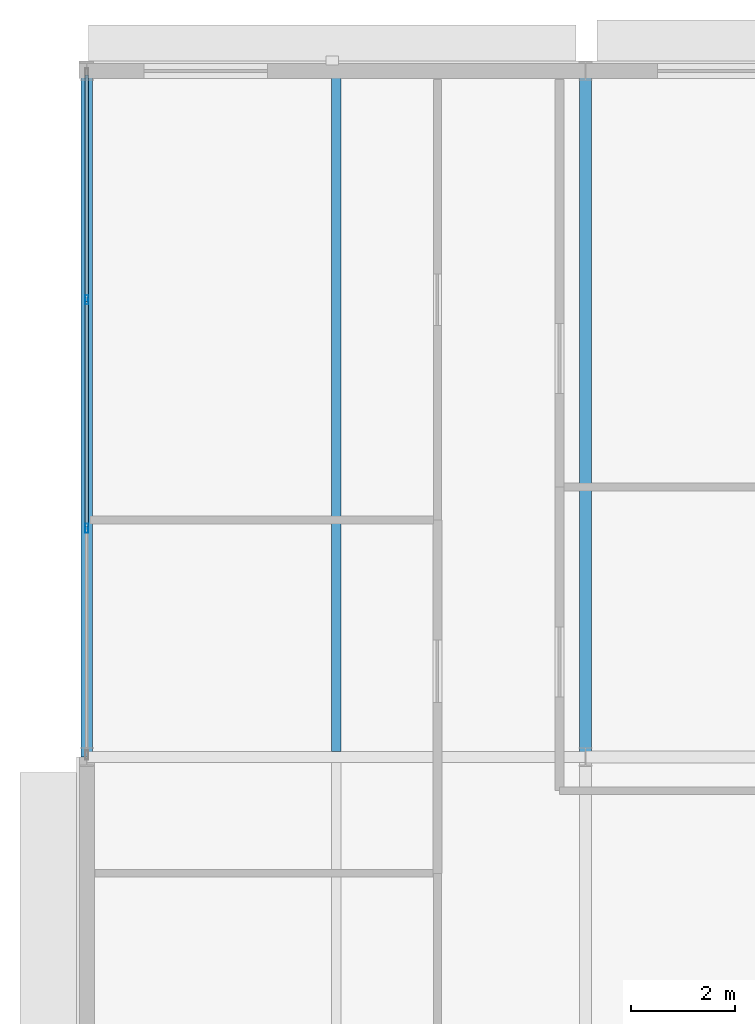
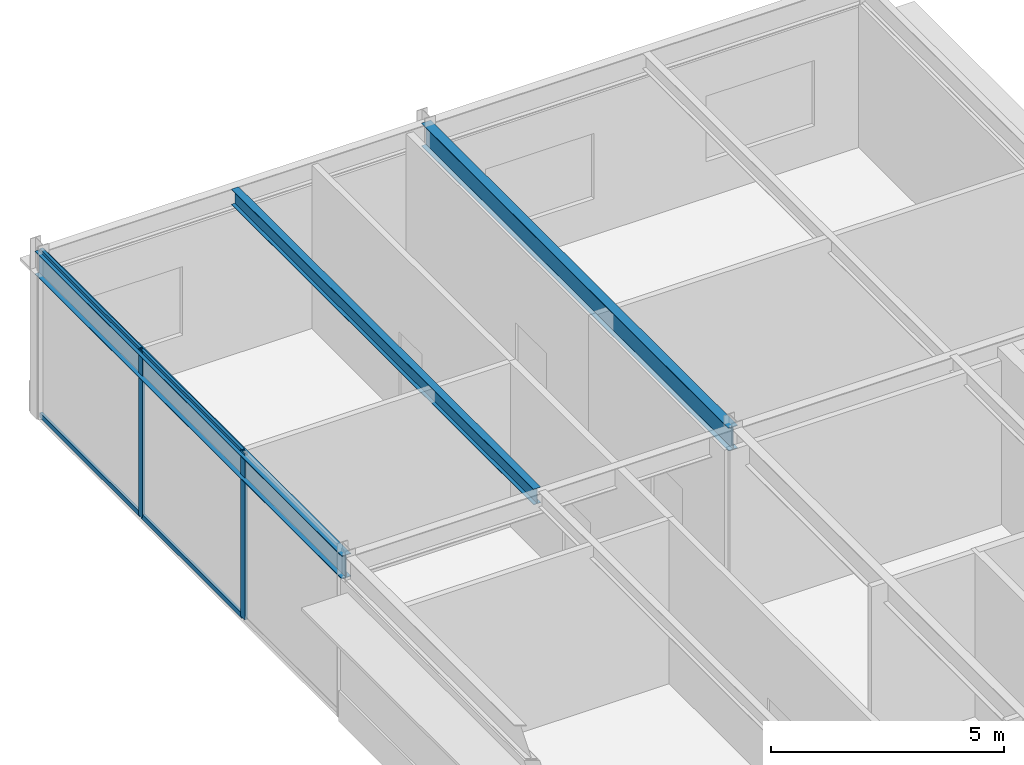
# One storey, part 8 of 17: 6 members, 3 beams, 1 element without a shape of its own.
"""IFC4 building model written with IfcOpenShell, lengths in metres."""

import ifcopenshell
import ifcopenshell.guid

model = None  # the IFC model being written
_history = None  # IfcOwnerHistory: only IFC2X3 demands one
_inside = {}  # id of a spatial element -> (the spatial element, [elements in it])
_under = {}  # id of a project, library or spatial element -> (it, [spatial elements below it])
_declared = {}  # id of a project -> (the project, [libraries it declares])
_typed = {}  # id of a type object -> (the type object, [elements of that type])
_made_of = {}  # id of a material, layer set ... -> (it, [elements and type objects made of it])


def new_model(schema):
    """Start an empty IFC model of exactly this schema.

    Asked for "IFC4X3", IfcOpenShell would pick the latest addendum, in which some entities
    have other attributes; the version numbers below select the first issue.
    IFC2X3 requires an IfcOwnerHistory on every rooted entity: one is made here for all.
    """
    global model, _history
    if schema == "IFC4X3":
        model = ifcopenshell.file(schema_version=(4, 3, 0, 0))
    else:
        model = ifcopenshell.file(schema=schema)
    _inside.clear()
    _under.clear()
    _declared.clear()
    _typed.clear()
    _made_of.clear()
    _history = None
    if model.schema == "IFC2X3":
        org = make("IfcOrganization", Name="unknown")
        user = make(
            "IfcPersonAndOrganization",
            ThePerson=make("IfcPerson", FamilyName="unknown"),
            TheOrganization=org,
        )
        app = make(
            "IfcApplication",
            ApplicationDeveloper=org,
            Version="unknown",
            ApplicationFullName="unknown",
            ApplicationIdentifier="unknown",
        )
        _history = make(
            "IfcOwnerHistory",
            OwningUser=user,
            OwningApplication=app,
            ChangeAction="ADDED",
            CreationDate=0,
        )
    return model


def make(cls, **values):
    """One entity of the class cls with the attributes given. An attribute that is None is left unset."""
    return model.create_entity(
        cls, **{name: value for name, value in values.items() if value is not None}
    )


def rooted(cls, **values):
    """An entity with a GlobalId (a new one), such as an element, a storey or a relation."""
    return make(cls, GlobalId=ifcopenshell.guid.new(), OwnerHistory=_history, **values)


def si_unit(unit_type, name, prefix=None):
    """IfcSIUnit, for example si_unit("LENGTHUNIT", "METRE", prefix="MILLI")."""
    return make("IfcSIUnit", UnitType=unit_type, Prefix=prefix, Name=name)


def assignment(units):
    """IfcUnitAssignment: the units of a project."""
    return None if units is None else make("IfcUnitAssignment", Units=units)


def point(xyz):
    """IfcCartesianPoint."""
    return None if xyz is None else make("IfcCartesianPoint", Coordinates=xyz)


def direction(xyz):
    """IfcDirection."""
    return None if xyz is None else make("IfcDirection", DirectionRatios=xyz)


def frame(location, z_axis=None, x_axis=None):
    """IfcAxis2Placement3D, a coordinate frame: its origin and axes. An axis left out is left unset."""
    return make(
        "IfcAxis2Placement3D",
        Location=point(location),
        Axis=direction(z_axis),
        RefDirection=direction(x_axis),
    )


def frame_2d(location, x_axis=None):
    """IfcAxis2Placement2D, a coordinate frame in the plane: its origin and x axis."""
    return make(
        "IfcAxis2Placement2D", Location=point(location), RefDirection=direction(x_axis)
    )


def origin():
    """The frame at (0, 0, 0) with its axes left unset."""
    return frame((0.0, 0.0, 0.0))


def origin_2d():
    """The frame at (0, 0) in the plane with its x axis left unset."""
    return frame_2d((0.0, 0.0))


def place(relative_to, where):
    """IfcLocalPlacement: puts the frame where relative to a parent placement (None: the world)."""
    return make(
        "IfcLocalPlacement", PlacementRelTo=relative_to, RelativePlacement=where
    )


def context(
    kind, dimensions, precision=None, world=None, true_north=None, identifier=None
):
    """IfcGeometricRepresentationContext, for example the 3D "Model" context."""
    return make(
        "IfcGeometricRepresentationContext",
        ContextIdentifier=identifier,
        ContextType=kind,
        CoordinateSpaceDimension=dimensions,
        Precision=precision,
        WorldCoordinateSystem=world,
        TrueNorth=true_north,
    )


def subcontext(parent, identifier, kind, view, scale=None):
    """IfcGeometricRepresentationSubContext, for example "Body" below "Model"."""
    return make(
        "IfcGeometricRepresentationSubContext",
        ContextIdentifier=identifier,
        ContextType=kind,
        ParentContext=parent,
        TargetScale=scale,
        TargetView=view,
    )


def project(units=None, contexts=None):
    """IfcProject with its units and contexts."""
    return rooted(
        "IfcProject",
        Name="project",
        RepresentationContexts=contexts,
        UnitsInContext=assignment(units),
    )


def spatial(cls, under=None, at=None, **own):
    """A site, building, storey or space (cls), placed at a placement, below another one or the project."""
    s = rooted(cls, ObjectPlacement=at, **own)
    if under is not None:
        _under.setdefault(under.id(), (under, []))[1].append(s)
    return s


def profile(cls, at=None, kind="AREA", **sizes):
    """A parametric profile (cls). Its sizes go by their IFC names, for example OverallWidth=200.0."""
    return make(cls, ProfileType=kind, Position=at, **sizes)


def hollow_rectangle(**sizes):
    """IfcRectangleHollowProfileDef."""
    return profile("IfcRectangleHollowProfileDef", **sizes)


def i_section(**sizes):
    """IfcIShapeProfileDef."""
    return profile("IfcIShapeProfileDef", **sizes)


def extrude(swept, where, along, depth):
    """IfcExtrudedAreaSolid: the profile swept, set in the frame where, extruded along a direction by depth."""
    return make(
        "IfcExtrudedAreaSolid",
        SweptArea=swept,
        Position=where,
        ExtrudedDirection=direction(along),
        Depth=depth,
    )


def shape(context_of_items, identifier, shape_type, items):
    """IfcShapeRepresentation: the items that make up one representation, for example the "Body"."""
    return make(
        "IfcShapeRepresentation",
        ContextOfItems=context_of_items,
        RepresentationIdentifier=identifier,
        RepresentationType=shape_type,
        Items=items,
    )


def material(Name=None, Category=None):
    """IfcMaterial."""
    return make("IfcMaterial", Name=Name, Category=Category)


def material_profile(
    of_material, cross_section, Name=None, Category=None, Priority=None
):
    """IfcMaterialProfile: a cross section and its material."""
    return make(
        "IfcMaterialProfile",
        Name=Name,
        Material=of_material,
        Profile=cross_section,
        Priority=Priority,
        Category=Category,
    )


def profile_set(profiles, Name=None, composite=None):
    """IfcMaterialProfileSet."""
    return make(
        "IfcMaterialProfileSet",
        Name=Name,
        MaterialProfiles=profiles,
        CompositeProfile=composite,
    )


def made_of(thing, what):
    """Note that an element or type object is made of a material, layer set ...; save() writes the relation."""
    if what is not None:
        _made_of.setdefault(what.id(), (what, []))[1].append(thing)
    return thing


def type_object(cls, material=None, **own):
    """A type object (cls), such as IfcWallType, which elements share."""
    return made_of(rooted(cls, **own), material)


def element(
    cls,
    number,
    at=None,
    inside=None,
    cuts=None,
    type_object=None,
    material=None,
    context=None,
    identifier="Body",
    shape_type=None,
    held_by="IfcProductDefinitionShape",
    body=None,
    shapes=None,
    **own,
):
    """One element of the class cls, such as IfcWall. Its Tag is "e" and its number.

    at: its placement. inside: the storey or other place that contains it. cuts: it is an
    opening in that element (IfcRelVoidsElement). A single representation is given by context,
    identifier, shape_type and body (its items); several are given by shapes. held_by: the class
    of the entity that holds the representations. save() writes the other relations.
    """
    e = rooted(cls, Tag="e%d" % number, ObjectPlacement=at, **own)
    if body is not None:
        shapes = [shape(context, identifier, shape_type, body)]
    if shapes is not None:
        e.Representation = make(held_by, Representations=shapes)
    if inside is not None:
        _inside.setdefault(inside.id(), (inside, []))[1].append(e)
    if cuts is not None:
        rooted(
            "IfcRelVoidsElement", RelatingBuildingElement=cuts, RelatedOpeningElement=e
        )
    if type_object is not None:
        _typed.setdefault(type_object.id(), (type_object, []))[1].append(e)
    return made_of(e, material)


def aggregate(whole, parts):
    """IfcRelAggregates: a whole, such as a stair, and the parts it consists of."""
    return rooted("IfcRelAggregates", RelatingObject=whole, RelatedObjects=parts)


def save(model, path):
    """Write the relations noted so far, then the file.

    IfcRelAggregates (storeys below a building ...), IfcRelContainedInSpatialStructure (elements
    in a storey), IfcRelDefinesByType, IfcRelAssociatesMaterial and IfcRelDeclares: one each for
    every whole, place, type object, material and project.
    """
    for whole, parts in _under.values():
        aggregate(whole, parts)
    for where, things in _inside.values():
        rooted(
            "IfcRelContainedInSpatialStructure",
            RelatedElements=things,
            RelatingStructure=where,
        )
    for kind, things in _typed.values():
        rooted("IfcRelDefinesByType", RelatedObjects=things, RelatingType=kind)
    for what, things in _made_of.values():
        rooted("IfcRelAssociatesMaterial", RelatedObjects=things, RelatingMaterial=what)
    for by, libraries in _declared.values():
        rooted("IfcRelDeclares", RelatingContext=by, RelatedDefinitions=libraries)
    model.write(path)


model = new_model("IFC4")

# Units and contexts
model_context = context("Model", 3, precision=1e-05, world=origin(), true_north=direction((0.0, 1.0)))
body_context = subcontext(model_context, "Body", "Model", "MODEL_VIEW")
ifc_project = project(units=[si_unit("LENGTHUNIT", "METRE"), si_unit("AREAUNIT", "SQUARE_METRE"), si_unit("VOLUMEUNIT", "CUBIC_METRE"), si_unit("PLANEANGLEUNIT", "RADIAN"), si_unit("MASSUNIT", "GRAM", prefix="KILO")], contexts=[model_context])

# Site, building, storey
site_placement = place(None, origin())
site = spatial("IfcSite", under=ifc_project, at=site_placement, CompositionType="ELEMENT")
building_placement = place(site_placement, origin())
building = spatial("IfcBuilding", under=site, at=building_placement, Name="Almandine Court Research Institute", CompositionType="ELEMENT")
storey_placement = place(building_placement, frame((0.0, 0.0, 32.550048828125)))
storey = spatial("IfcBuildingStorey", under=building, at=storey_placement, Name="L07", CompositionType="ELEMENT", Elevation=32.550048828125)

# Beams
ifc_material_1 = material(Name="Steel ASTM A992 Grade 50", Category="steel")
ifc_material_profile_1 = material_profile(ifc_material_1, i_section(OverallWidth=0.178955078125, OverallDepth=0.409912109375, WebThickness=0.009033203125, FlangeThickness=0.013916015625, at=origin_2d()), Name="W410x67")
ifc_profile_set_1 = profile_set([ifc_material_profile_1], Name="Steel ASTM A992 Grade 50")
beam_type_1 = type_object("IfcBeamType", Name="Beam-B-02", PredefinedType="JOIST", material=ifc_profile_set_1)
beam_placement = place(storey_placement, frame((158.39990234375, 57.702880859375, 4.117919921875), z_axis=(0.0, 1.0, 0.0), x_axis=(-1.0, 0.0, 0.0)))
element("IfcBeam", 1, at=beam_placement, inside=storey, type_object=beam_type_1, Name="L07 V4 Composite Secondary Beam", PredefinedType="JOIST", context=body_context, shape_type="SweptSolid", body=[
    extrude(i_section(OverallWidth=0.178955078125, OverallDepth=0.409912109375, WebThickness=0.009033203125, FlangeThickness=0.013916015625, at=origin_2d()), origin(), (0.0, 0.0, 1.0), 12.994140625),
])
ifc_material_profile_2 = material_profile(ifc_material_1, i_section(OverallWidth=0.22802734375, OverallDepth=0.60791015625, WebThickness=0.010986328125, FlangeThickness=0.01708984375, at=origin_2d()), Name="W610x113")
ifc_profile_set_2 = profile_set([ifc_material_profile_2], Name="Steel ASTM A992 Grade 50")
beam_type_2 = type_object("IfcBeamType", Name="Beam-G-03", PredefinedType="BEAM", material=ifc_profile_set_2)
for number, where, z_axis, x_axis, name in (
    (2, (153.60009765625, 57.60009765625, 4.01904296875), (0.0, 1.0, 0.0), (-1.0, 0.0, 0.0), "L07 V4 Primary Y Girder"),
    (3, (163.199951171875, 57.60009765625, 4.01904296875), (0.0, 1.0, 0.0), (-1.0, 0.0, 0.0), "L07 V4 Primary Y Girder"),
):
    element("IfcBeam", number, at=place(storey_placement, frame(where, z_axis=z_axis, x_axis=x_axis)), inside=storey, type_object=beam_type_2, Name=name, PredefinedType="BEAM", context=body_context, shape_type="SweptSolid", body=[
        extrude(i_section(OverallWidth=0.22802734375, OverallDepth=0.60791015625, WebThickness=0.010986328125, FlangeThickness=0.01708984375, at=origin_2d()), origin(), (0.0, 0.0, 1.0), 13.199951171875),
    ])

# Curtain wall, members
ifc_material_2 = material(Name="Unitised Curtain Wall Framing and Solar Glazing", Category="glass")
curtain_wall_type = type_object("IfcCurtainWallType", Name="CW-CWJ-16", PredefinedType="USERDEFINED", material=ifc_material_2)
curtain_wall_placement = place(storey_placement, origin())
curtain_wall = element("IfcCurtainWall", 4, at=curtain_wall_placement, inside=storey, type_object=curtain_wall_type, Name="L07 Wet Lab West Courtyard Jali Curtain Wall 6", ObjectType="SOLAR JALI SCREEN", PredefinedType="USERDEFINED")
ifc_material_3 = material(Name="Anodised Aluminium AW-6063-T6", Category="aluminium")
ifc_material_profile_3 = material_profile(ifc_material_3, hollow_rectangle(XDim=0.06494140625, YDim=0.179931640625, WallThickness=0.00390625, at=origin_2d()), Name="ALU RHS 65x180x4")
ifc_profile_set_3 = profile_set([ifc_material_profile_3], Name="Anodised Aluminium AW-6063-T6")
member_type_1 = type_object("IfcMemberType", Name="CWMul-65x180", PredefinedType="MULLION", material=ifc_profile_set_3)
member_1_placement = place(storey_placement, frame((153.60009765625, 62.001220703125, 0.0), z_axis=(0.0, 0.0, 1.0), x_axis=(-1.0, 0.0, 0.0)))
member_1 = element("IfcMember", 5, at=member_1_placement, type_object=member_type_1, Name="CWJ-16 mullion 2", PredefinedType="MULLION", context=body_context, shape_type="SweptSolid", body=[
    extrude(hollow_rectangle(XDim=0.06494140625, YDim=0.179931640625, WallThickness=0.00390625, at=origin_2d()), origin(), (0.0, 0.0, 1.0), 4.369873046875),
])
member_2_placement = place(storey_placement, frame((153.60009765625, 66.398681640625, 0.0), z_axis=(0.0, 0.0, 1.0), x_axis=(-1.0, 0.0, 0.0)))
member_2 = element("IfcMember", 6, at=member_2_placement, type_object=member_type_1, Name="CWJ-16 mullion 3", PredefinedType="MULLION", context=body_context, shape_type="SweptSolid", body=[
    extrude(hollow_rectangle(XDim=0.06494140625, YDim=0.179931640625, WallThickness=0.00390625, at=origin_2d()), origin(), (0.0, 0.0, 1.0), 4.369873046875),
])
ifc_material_profile_4 = material_profile(ifc_material_3, hollow_rectangle(XDim=0.06494140625, YDim=0.1298828125, WallThickness=0.00390625, at=origin_2d()), Name="ALU RHS 65x130x4")
ifc_profile_set_4 = profile_set([ifc_material_profile_4], Name="Anodised Aluminium AW-6063-T6")
member_type_2 = type_object("IfcMemberType", Name="CWTrn-65x130", PredefinedType="NOTDEFINED", material=ifc_profile_set_4)
member_3_placement = place(storey_placement, frame((153.60009765625, 62.033935546875, 0.032470703125), z_axis=(0.0, 1.0, 0.0), x_axis=(-1.0, 0.0, 0.0)))
member_3 = element("IfcMember", 7, at=member_3_placement, type_object=member_type_2, Name="CWJ-16 transom 2.1", ObjectType="TRANSOM", PredefinedType="USERDEFINED", context=body_context, shape_type="SweptSolid", body=[
    extrude(hollow_rectangle(XDim=0.06494140625, YDim=0.1298828125, WallThickness=0.00390625, at=origin_2d()), origin(), (0.0, 0.0, 1.0), 4.332275390625),
])
member_4_placement = place(storey_placement, frame((153.60009765625, 62.033935546875, 4.33740234375), z_axis=(0.0, 1.0, 0.0), x_axis=(-1.0, 0.0, 0.0)))
member_4 = element("IfcMember", 8, at=member_4_placement, type_object=member_type_2, Name="CWJ-16 transom 2.2", ObjectType="TRANSOM", PredefinedType="USERDEFINED", context=body_context, shape_type="SweptSolid", body=[
    extrude(hollow_rectangle(XDim=0.06494140625, YDim=0.1298828125, WallThickness=0.00390625, at=origin_2d()), origin(), (0.0, 0.0, 1.0), 4.332275390625),
])
member_5_placement = place(storey_placement, frame((153.60009765625, 66.43115234375, 0.032470703125), z_axis=(0.0, 1.0, 0.0), x_axis=(-1.0, 0.0, 0.0)))
member_5 = element("IfcMember", 9, at=member_5_placement, type_object=member_type_2, Name="CWJ-16 transom 3.1", ObjectType="TRANSOM", PredefinedType="USERDEFINED", context=body_context, shape_type="SweptSolid", body=[
    extrude(hollow_rectangle(XDim=0.06494140625, YDim=0.1298828125, WallThickness=0.00390625, at=origin_2d()), origin(), (0.0, 0.0, 1.0), 4.2998046875),
])
member_6_placement = place(storey_placement, frame((153.60009765625, 66.43115234375, 4.33740234375), z_axis=(0.0, 1.0, 0.0), x_axis=(-1.0, 0.0, 0.0)))
member_6 = element("IfcMember", 10, at=member_6_placement, type_object=member_type_2, Name="CWJ-16 transom 3.2", ObjectType="TRANSOM", PredefinedType="USERDEFINED", context=body_context, shape_type="SweptSolid", body=[
    extrude(hollow_rectangle(XDim=0.06494140625, YDim=0.1298828125, WallThickness=0.00390625, at=origin_2d()), origin(), (0.0, 0.0, 1.0), 4.2998046875),
])
aggregate(curtain_wall, [member_1, member_2, member_3, member_4, member_5, member_6])

save(model, "model.ifc")
